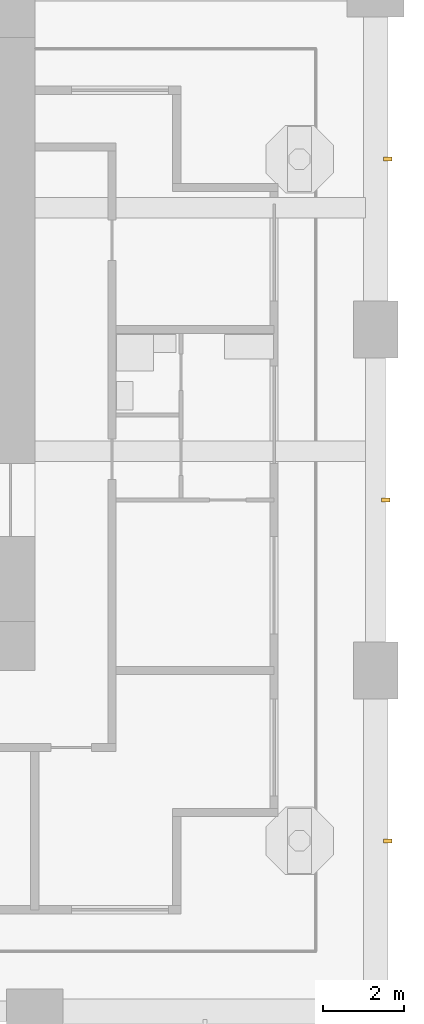
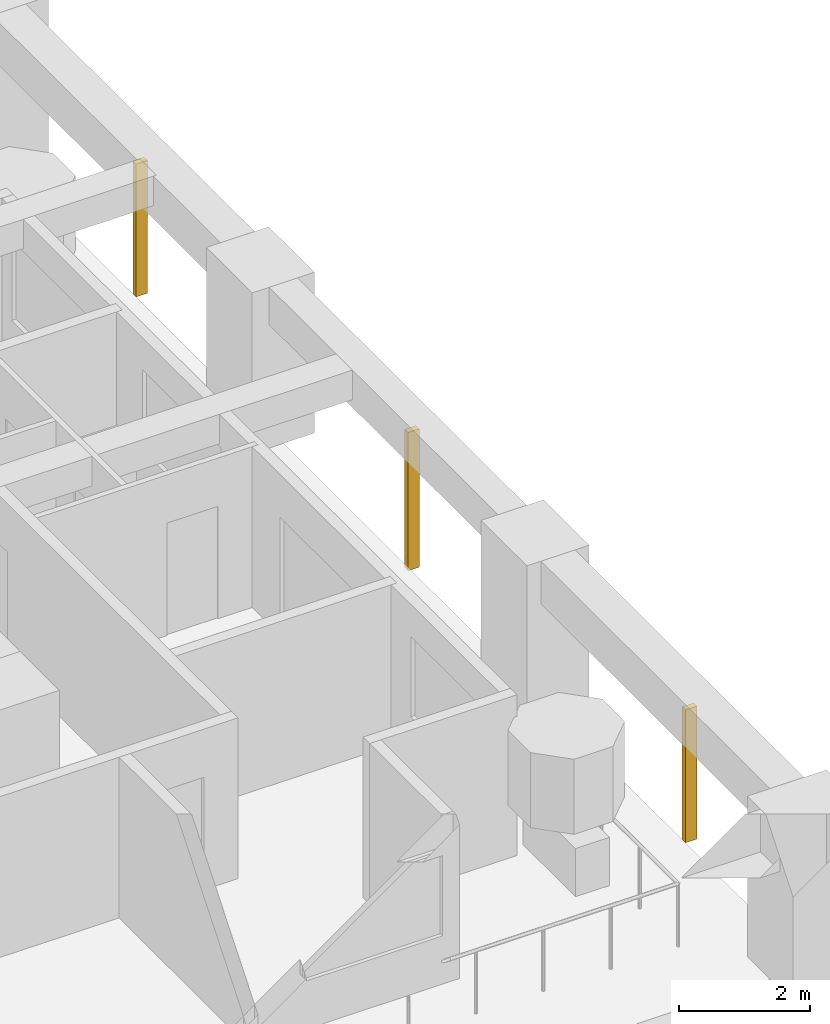
# One storey, part 18 of 21: 3 shading devices.
"""IFC4 building model written with IfcOpenShell, lengths in metres."""

from ifc_helpers import new_model, si_unit, direction, frame, origin, origin_2d, place, context, subcontext, project, spatial, rectangle, extrude, material, material_profile, profile_set, type_object, element, save


model = new_model("IFC4")

# Units and contexts
model_context = context("Model", 3, precision=1e-05, world=origin(), true_north=direction((0.0, 1.0)))
body_context = subcontext(model_context, "Body", "Model", "MODEL_VIEW")
ifc_project = project(units=[si_unit("LENGTHUNIT", "METRE"), si_unit("AREAUNIT", "SQUARE_METRE"), si_unit("VOLUMEUNIT", "CUBIC_METRE"), si_unit("PLANEANGLEUNIT", "RADIAN"), si_unit("MASSUNIT", "GRAM", prefix="KILO")], contexts=[model_context])

# Site, building, storey
site_placement = place(None, origin())
site = spatial("IfcSite", under=ifc_project, at=site_placement, CompositionType="ELEMENT")
building_placement = place(site_placement, origin())
building = spatial("IfcBuilding", under=site, at=building_placement, Name="Vermilion Gate Residences", CompositionType="ELEMENT")
storey_placement = place(building_placement, frame((0.0, 0.0, 70.699951171875)))
storey = spatial("IfcBuildingStorey", under=building, at=storey_placement, Name="L17", CompositionType="ELEMENT", Elevation=70.699951171875)

# Shading devices
ifc_material = material(Name="Extruded terracotta", Category="masonry")
ifc_material_profile = material_profile(ifc_material, rectangle(XDim=0.199951171875, YDim=0.10009765625, at=origin_2d()), Name="BAGUETTE 100 X 200")
ifc_profile_set = profile_set([ifc_material_profile], Name="Extruded terracotta")
shading_device_type = type_object("IfcShadingDeviceType", Name="TERRACOTTA BAGUETTE 100 X 200", PredefinedType="JALOUSIE", material=ifc_profile_set)
shading_device_1_placement = place(storey_placement, frame((67.5, 4.199951171875, -0.280029296875), z_axis=(0.0, 0.0, 1.0), x_axis=(-1.0, 0.0, 0.0)))
element("IfcShadingDevice", 1, at=shading_device_1_placement, inside=storey, type_object=shading_device_type, Name="BAGUETTE", PredefinedType="JALOUSIE", context=body_context, shape_type="SweptSolid", body=[
    extrude(rectangle(XDim=0.199951171875, YDim=0.10009765625, at=origin_2d()), origin(), (0.0, 0.0, 1.0), 2.47998046875),
])
shading_device_2_placement = place(storey_placement, frame((67.449951171875, 12.60009765625, -0.280029296875), z_axis=(0.0, 0.0, 1.0), x_axis=(-1.0, 0.0, 0.0)))
element("IfcShadingDevice", 2, at=shading_device_2_placement, inside=storey, type_object=shading_device_type, Name="BAGUETTE", PredefinedType="JALOUSIE", context=body_context, shape_type="SweptSolid", body=[
    extrude(rectangle(XDim=0.199951171875, YDim=0.10009765625, at=origin_2d()), origin(), (0.0, 0.0, 1.0), 2.580078125),
])
shading_device_3_placement = place(storey_placement, frame((67.5, 21.0, -0.280029296875), z_axis=(0.0, 0.0, 1.0), x_axis=(-1.0, 0.0, 0.0)))
element("IfcShadingDevice", 3, at=shading_device_3_placement, inside=storey, type_object=shading_device_type, Name="BAGUETTE", PredefinedType="JALOUSIE", context=body_context, shape_type="SweptSolid", body=[
    extrude(rectangle(XDim=0.199951171875, YDim=0.10009765625, at=origin_2d()), origin(), (0.0, 0.0, 1.0), 2.47998046875),
])

save(model, "model.ifc")
